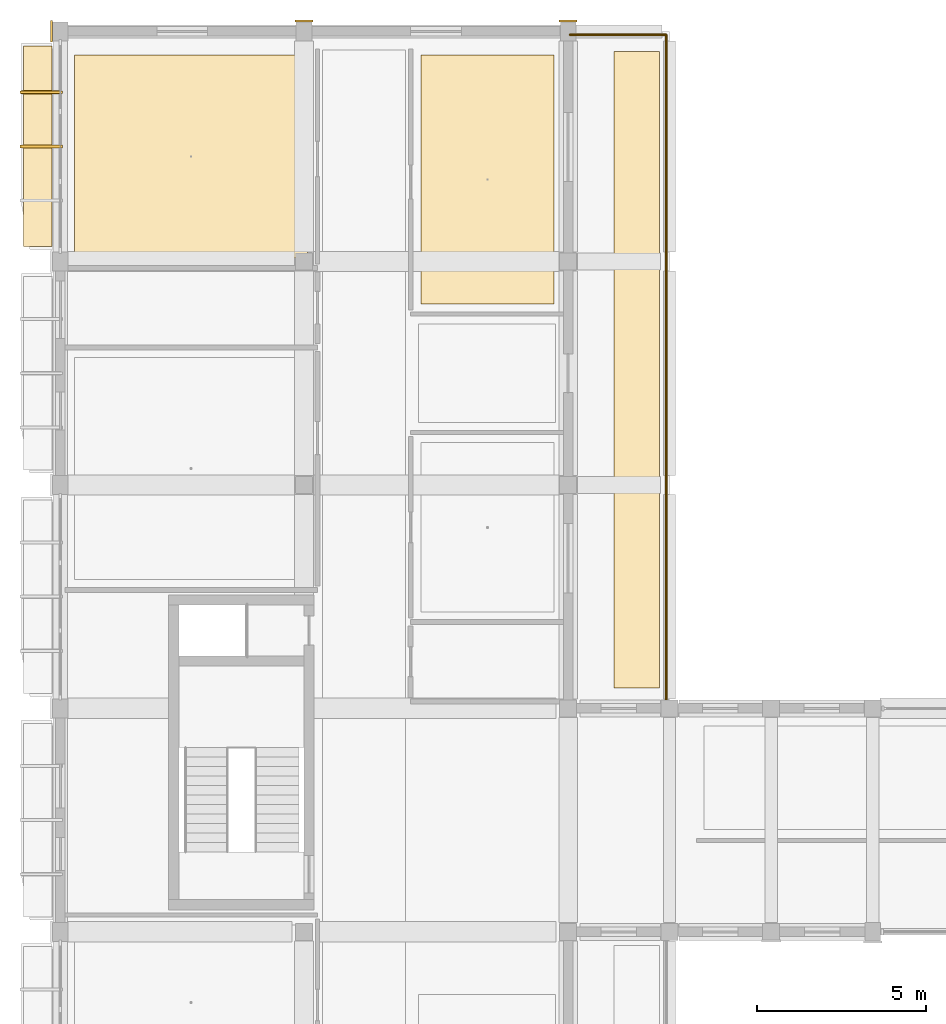
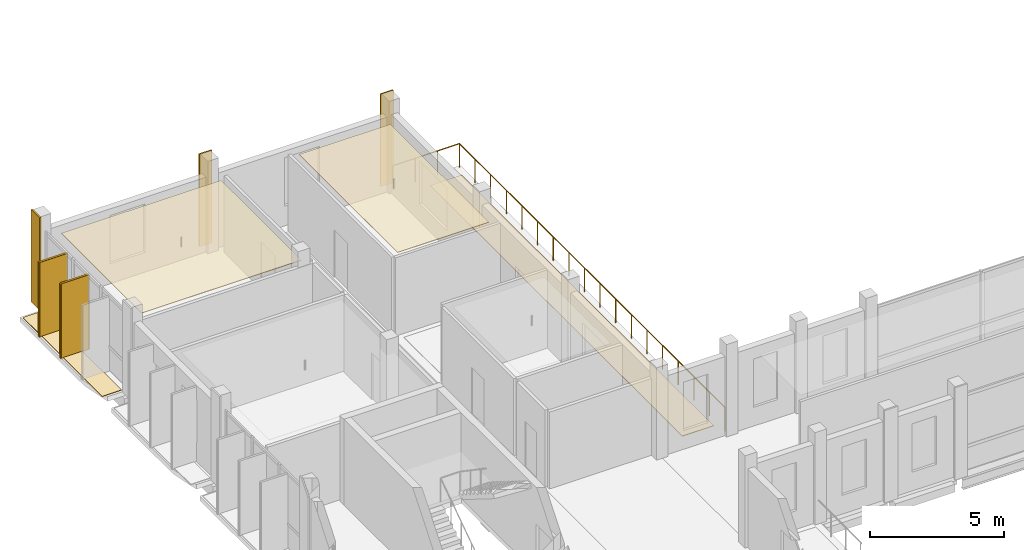
# One storey, part 77 of 85: 9 coverings, 2 railings, 2 shading devices.
"""IFC4 building model written with IfcOpenShell, lengths in metres."""

from ifc_helpers import new_model, si_unit, derived_unit, direction, frame, origin, origin_2d, place, context, subcontext, project, spatial, polyline, rectangle, circle, outline, extrude, material, layer, layer_set, type_object, element, save


model = new_model("IFC4")

# Units and contexts
model_context = context("Model", 3, precision=1e-05, world=origin(), true_north=direction((0.0, 1.0)))
body_context = subcontext(model_context, "Body", "Model", "MODEL_VIEW")
ifc_project = project(units=[si_unit("LENGTHUNIT", "METRE"), si_unit("AREAUNIT", "SQUARE_METRE"), si_unit("VOLUMEUNIT", "CUBIC_METRE"), si_unit("PLANEANGLEUNIT", "RADIAN"), si_unit("MASSUNIT", "GRAM", prefix="KILO"), derived_unit("THERMALTRANSMITTANCEUNIT", [(si_unit("POWERUNIT", "WATT"), 1), (si_unit("LENGTHUNIT", "METRE"), -2), (si_unit("THERMODYNAMICTEMPERATUREUNIT", "KELVIN"), -1)])], contexts=[model_context])

# Site, building, storey
site_placement = place(None, origin())
site = spatial("IfcSite", under=ifc_project, at=site_placement, CompositionType="ELEMENT")
building_placement = place(site_placement, origin())
building = spatial("IfcBuilding", under=site, at=building_placement, Name="Braskholm Square Health Centre", CompositionType="ELEMENT")
storey_placement = place(building_placement, frame((0.0, 0.0, 9.300048828125)))
storey = spatial("IfcBuildingStorey", under=building, at=storey_placement, Name="L03", CompositionType="ELEMENT", Elevation=9.300048828125)

# Coverings
ifc_material_1 = material(Name="Fire-rated gypsum board barrier")
ifc_layer_1 = layer(ifc_material_1, 0.02490234375)
ifc_layer_set_1 = layer_set([ifc_layer_1], Name="Fire-rated gypsum board barrier")
covering_type_1 = type_object("IfcCoveringType", Name="AcousticClinicalCeilingTile", PredefinedType="CEILING", material=ifc_layer_set_1)
covering_1_placement = place(storey_placement, frame((0.0, 0.0, 3.46484375)))
element("IfcCovering", 1, at=covering_1_placement, inside=storey, type_object=covering_type_1, Name="Acoustic ceiling L03-083", PredefinedType="CEILING", context=body_context, shape_type="SweptSolid", body=[
    extrude(outline(polyline([(4.6201171875, 107.110107421875), (11.5, 107.110107421875), (11.5, 113.10009765625), (4.6201171875, 113.10009765625), (4.6201171875, 107.110107421875)])), origin(), (0.0, 0.0, 1.0), 0.025146484375),
])
covering_2_placement = place(storey_placement, frame((0.0, 0.0, 3.46484375)))
element("IfcCovering", 2, at=covering_2_placement, inside=storey, type_object=covering_type_1, Name="Acoustic ceiling L03-096", PredefinedType="CEILING", context=body_context, shape_type="SweptSolid", body=[
    extrude(outline(polyline([(14.85009765625, 105.75), (18.780029296875, 105.75), (18.780029296875, 113.10009765625), (14.85009765625, 113.10009765625), (14.85009765625, 105.75)])), origin(), (0.0, 0.0, 1.0), 0.025146484375),
])

# Railings
ifc_material_2 = material(Name="Dark patinated chevron architectural bronze", Category="aluminium")
railing_type = type_object("IfcRailingType", Name="BronzeChevronGuardrail1100", PredefinedType="GUARDRAIL", material=ifc_material_2)
railing_1_placement = place(storey_placement, frame((22.10009765625, 93.89990234375, 0.0)))
element("IfcRailing", 3, at=railing_1_placement, inside=storey, type_object=railing_type, Name="Bronze chevron guardrail 0030 L03", PredefinedType="GUARDRAIL", context=body_context, shape_type="SweptSolid", body=[
    extrude(circle(Radius=0.02392578125, at=origin_2d()), frame((0.0, 0.0, 1.076171875), z_axis=(0.0, 1.0, 0.0), x_axis=(-1.0, 0.0, 0.0)), (0.0, 0.0, 1.0), 19.800048828125),
    extrude(circle(Radius=0.02099609375, at=origin_2d()), origin(), (0.0, 0.0, 1.0), 1.052001953125),
    extrude(circle(Radius=0.02099609375, at=origin_2d()), frame((0.0, 1.164794921875, 0.0)), (0.0, 0.0, 1.0), 1.052001953125),
    extrude(circle(Radius=0.02099609375, at=origin_2d()), frame((0.0, 2.329345703125, 0.0)), (0.0, 0.0, 1.0), 1.052001953125),
    extrude(circle(Radius=0.02099609375, at=origin_2d()), frame((0.0, 3.494140625, 0.0)), (0.0, 0.0, 1.0), 1.052001953125),
    extrude(circle(Radius=0.02099609375, at=origin_2d()), frame((0.0, 4.658935546875, 0.0)), (0.0, 0.0, 1.0), 1.052001953125),
    extrude(circle(Radius=0.02099609375, at=origin_2d()), frame((0.0, 5.823486328125, 0.0)), (0.0, 0.0, 1.0), 1.052001953125),
    extrude(circle(Radius=0.02099609375, at=origin_2d()), frame((0.0, 6.98828125, 0.0)), (0.0, 0.0, 1.0), 1.052001953125),
    extrude(circle(Radius=0.02099609375, at=origin_2d()), frame((0.0, 8.153076171875, 0.0)), (0.0, 0.0, 1.0), 1.052001953125),
    extrude(circle(Radius=0.02099609375, at=origin_2d()), frame((0.0, 9.317626953125, 0.0)), (0.0, 0.0, 1.0), 1.052001953125),
    extrude(circle(Radius=0.02099609375, at=origin_2d()), frame((0.0, 10.482421875, 0.0)), (0.0, 0.0, 1.0), 1.052001953125),
    extrude(circle(Radius=0.02099609375, at=origin_2d()), frame((0.0, 11.64697265625, 0.0)), (0.0, 0.0, 1.0), 1.052001953125),
    extrude(circle(Radius=0.02099609375, at=origin_2d()), frame((0.0, 12.811767578125, 0.0)), (0.0, 0.0, 1.0), 1.052001953125),
    extrude(circle(Radius=0.02099609375, at=origin_2d()), frame((0.0, 13.9765625, 0.0)), (0.0, 0.0, 1.0), 1.052001953125),
    extrude(circle(Radius=0.02099609375, at=origin_2d()), frame((0.0, 15.14111328125, 0.0)), (0.0, 0.0, 1.0), 1.052001953125),
    extrude(circle(Radius=0.02099609375, at=origin_2d()), frame((0.0, 16.305908203125, 0.0)), (0.0, 0.0, 1.0), 1.052001953125),
    extrude(circle(Radius=0.02099609375, at=origin_2d()), frame((0.0, 17.470703125, 0.0)), (0.0, 0.0, 1.0), 1.052001953125),
    extrude(circle(Radius=0.02099609375, at=origin_2d()), frame((0.0, 18.63525390625, 0.0)), (0.0, 0.0, 1.0), 1.052001953125),
    extrude(circle(Radius=0.02099609375, at=origin_2d()), frame((0.0, 19.800048828125, 0.0)), (0.0, 0.0, 1.0), 1.052001953125),
])
railing_2_placement = place(storey_placement, frame((22.10009765625, 113.699951171875, 0.0)))
element("IfcRailing", 4, at=railing_2_placement, inside=storey, type_object=railing_type, Name="Bronze chevron guardrail 0031 L03", PredefinedType="GUARDRAIL", context=body_context, shape_type="SweptSolid", body=[
    extrude(circle(Radius=0.02392578125, at=origin_2d()), frame((0.0, 0.0, 1.076171875), z_axis=(-1.0, 0.0, 0.0), x_axis=(0.0, -1.0, 0.0)), (0.0, 0.0, 1.0), 2.85009765625),
    extrude(circle(Radius=0.02099609375, at=origin_2d()), origin(), (0.0, 0.0, 1.0), 1.052001953125),
    extrude(circle(Radius=0.02099609375, at=origin_2d()), frame((-0.949951171875, 0.0, 0.0)), (0.0, 0.0, 1.0), 1.052001953125),
    extrude(circle(Radius=0.02099609375, at=origin_2d()), frame((-1.900146484375, 0.0, 0.0)), (0.0, 0.0, 1.0), 1.052001953125),
    extrude(circle(Radius=0.02099609375, at=origin_2d()), frame((-2.85009765625, 0.0, 0.0)), (0.0, 0.0, 1.0), 1.052001953125),
])

# Shading devices
ifc_material_3 = material(Name="Thermally modified western red cedar with bronze trim", Category="wood")
shading_device_type = type_object("IfcShadingDeviceType", Name="CedarBronzeShadingFin1250", PredefinedType="USERDEFINED", material=ifc_material_3)
for number, where, z_axis, x_axis, name in (
    (5, (3.635009765625, 110.39990234375, 0.0), (0.0, 0.0, 1.0), (1.0, 0.0, 0.0), "Warm cedar-bronze vertical shading slat 0101"),
    (6, (3.635009765625, 112.0, 0.0), (0.0, 0.0, 1.0), (1.0, 0.0, 0.0), "Warm cedar-bronze vertical shading slat 0102"),
):
    element("IfcShadingDevice", number, at=place(storey_placement, frame(where, z_axis=z_axis, x_axis=x_axis)), inside=storey, type_object=shading_device_type, Name=name, ObjectType="FIN", PredefinedType="USERDEFINED", context=body_context, shape_type="SweptSolid", body=[
        extrude(rectangle(XDim=1.25, YDim=0.0849609375, at=origin_2d()), origin(), (0.0, 0.0, 1.0), 3.39990234375),
    ])

# Coverings
ifc_layer_2 = layer(ifc_material_3, 0.0849609375)
ifc_layer_set_2 = layer_set([ifc_layer_2], Name="Thermally modified western red cedar with bronze trim")
covering_type_2 = type_object("IfcCoveringType", Name="CedarBronzeSlatCladding", PredefinedType="CLADDING", material=ifc_layer_set_2)
for number, where, z_axis, x_axis, name in (
    (7, (3.6298828125, 110.39990234375, 0.0), (0.0, 0.0, 1.0), (1.0, 0.0, 0.0), "Cedar-bronze shading slat trim 0527"),
    (8, (3.6298828125, 112.0, 0.0), (0.0, 0.0, 1.0), (1.0, 0.0, 0.0), "Cedar-bronze shading slat trim 0528"),
):
    element("IfcCovering", number, at=place(storey_placement, frame(where, z_axis=z_axis, x_axis=x_axis)), inside=storey, type_object=covering_type_2, Name=name, PredefinedType="CLADDING", context=body_context, shape_type="SweptSolid", body=[
        extrude(rectangle(XDim=1.179931640625, YDim=0.094970703125, at=origin_2d()), origin(), (0.0, 0.0, 1.0), 3.39990234375),
    ])
ifc_material_4 = material(Name="Intensive botanical sedum and native prairie garden bed")
ifc_layer_3 = layer(ifc_material_4, 0.02490234375)
ifc_layer_set_3 = layer_set([ifc_layer_3], Name="Intensive botanical sedum and native prairie garden bed")
covering_type_3 = type_object("IfcCoveringType", Name="PlantedTerraceGardenBed", PredefinedType="ROOFING", material=ifc_layer_set_3)
covering_3_placement = place(storey_placement, origin())
element("IfcCovering", 9, at=covering_3_placement, inside=storey, type_object=covering_type_3, Name="West floor planter ledge sedum strip 0529", PredefinedType="ROOFING", context=body_context, shape_type="SweptSolid", body=[
    extrude(outline(polyline([(3.1201171875, 107.43994140625), (3.949951171875, 107.43994140625), (3.949951171875, 113.360107421875), (3.1201171875, 113.360107421875), (3.1201171875, 107.43994140625)])), origin(), (0.0, 0.0, 1.0), 0.02490234375),
])
covering_4_placement = place(storey_placement, origin())
element("IfcCovering", 10, at=covering_4_placement, inside=storey, type_object=covering_type_3, Name="Planted therapy terrace garden bed 0911", PredefinedType="ROOFING", context=body_context, shape_type="SweptSolid", body=[
    extrude(outline(polyline([(20.550048828125, 94.39990234375), (21.89990234375, 94.39990234375), (21.89990234375, 113.199951171875), (20.550048828125, 113.199951171875), (20.550048828125, 94.39990234375)])), origin(), (0.0, 0.0, 1.0), 0.02490234375),
])
ifc_material_5 = material(Name="Precast concrete C40/50 architectural white", Category="concrete")
ifc_layer_4 = layer(ifc_material_5, 0.054931640625)
ifc_layer_set_4 = layer_set([ifc_layer_4], Name="Precast concrete C40/50 architectural white")
covering_type_4 = type_object("IfcCoveringType", Name="PrecastWhiteColumnCasing", PredefinedType="CLADDING", material=ifc_layer_set_4)
covering_5_placement = place(storey_placement, frame((3.945068359375, 113.800048828125, 0.0), z_axis=(0.0, 0.0, 1.0), x_axis=(1.0, 0.0, 0.0)))
element("IfcCovering", 11, at=covering_5_placement, inside=storey, type_object=covering_type_4, Name="Giant-order white precast column casing 0147", PredefinedType="CLADDING", context=body_context, shape_type="SweptSolid", body=[
    extrude(rectangle(XDim=0.06005859375, YDim=0.639892578125, at=origin_2d()), origin(), (0.0, 0.0, 1.0), 4.199951171875),
])
for number, where, z_axis, x_axis, name in (
    (12, (11.39990234375, 114.10498046875, 0.0), (0.0, 0.0, 1.0), (1.0, 0.0, 0.0), "Giant-order white precast column casing 0162"),
    (13, (19.199951171875, 114.10498046875, 0.0), (0.0, 0.0, 1.0), (1.0, 0.0, 0.0), "Giant-order white precast column casing 0174"),
):
    element("IfcCovering", number, at=place(storey_placement, frame(where, z_axis=z_axis, x_axis=x_axis)), inside=storey, type_object=covering_type_4, Name=name, PredefinedType="CLADDING", context=body_context, shape_type="SweptSolid", body=[
        extrude(rectangle(XDim=0.5400390625, YDim=0.06005859375, at=origin_2d()), origin(), (0.0, 0.0, 1.0), 4.199951171875),
    ])

save(model, "model.ifc")
